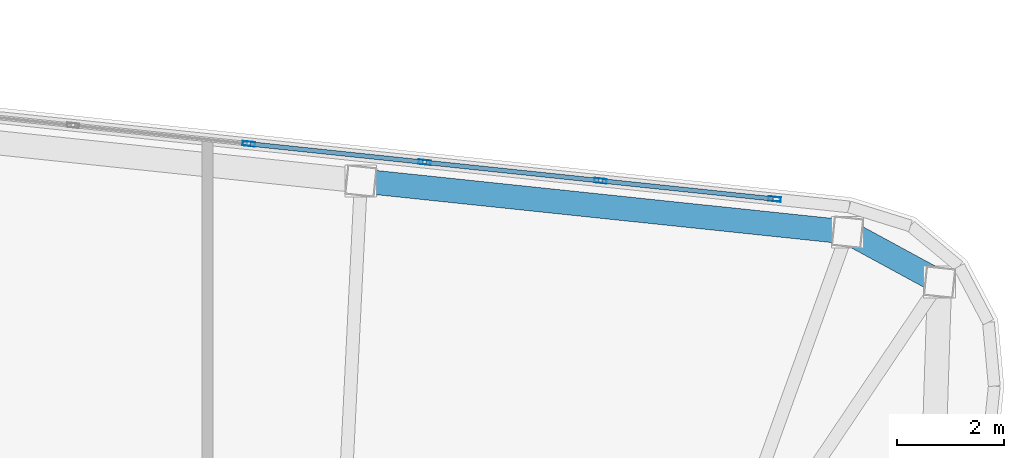
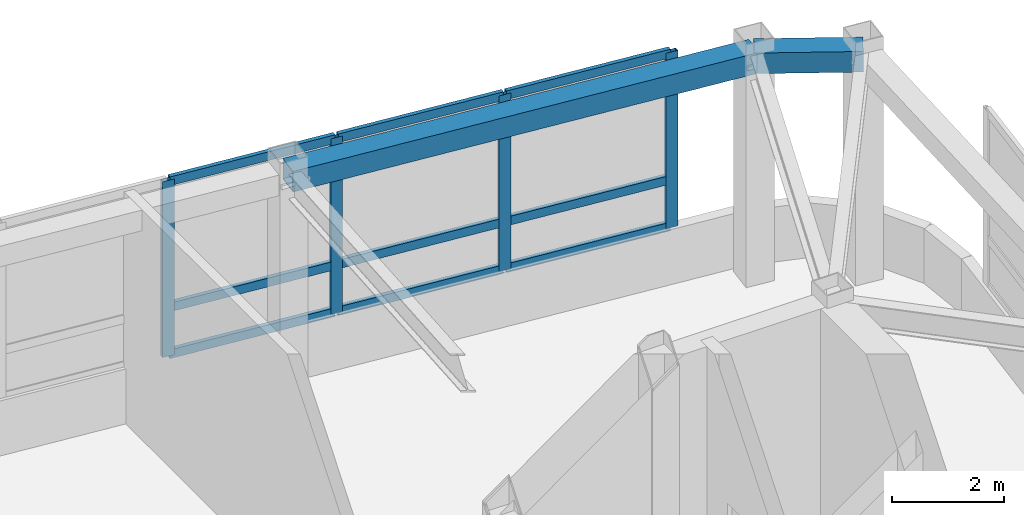
# One storey, part 17 of 23: 13 members, 2 beams, 1 element without a shape of its own.
"""IFC4 building model written with IfcOpenShell, lengths in metres."""

from ifc_helpers import new_model, si_unit, direction, frame, origin, origin_2d, place, context, subcontext, project, spatial, hollow_rectangle, extrude, material, layer, layer_set, material_profile, profile_set, type_object, element, aggregate, save


model = new_model("IFC4")

# Units and contexts
model_context = context("Model", 3, precision=1e-05, world=origin(), true_north=direction((0.0, 1.0)))
body_context = subcontext(model_context, "Body", "Model", "MODEL_VIEW")
ifc_project = project(units=[si_unit("LENGTHUNIT", "METRE"), si_unit("AREAUNIT", "SQUARE_METRE"), si_unit("VOLUMEUNIT", "CUBIC_METRE"), si_unit("PLANEANGLEUNIT", "RADIAN"), si_unit("MASSUNIT", "GRAM", prefix="KILO")], contexts=[model_context])

# Site, building, storey
site_placement = place(None, origin())
site = spatial("IfcSite", under=ifc_project, at=site_placement, CompositionType="ELEMENT")
building_placement = place(site_placement, origin())
building = spatial("IfcBuilding", under=site, at=building_placement, Name="Voryun Gate Residences", CompositionType="ELEMENT")
storey_placement = place(building_placement, frame((0.0, 0.0, 326.60009765625)))
storey = spatial("IfcBuildingStorey", under=building, at=storey_placement, Name="L80", CompositionType="ELEMENT", Elevation=326.60009765625)

# Beams
ifc_material_1 = material(Name="Steel SM355", Category="steel")
ifc_material_profile_1 = material_profile(ifc_material_1, hollow_rectangle(XDim=0.449951171875, YDim=0.449951171875, WallThickness=0.01806640625, at=origin_2d()), Name="BOX-450x450x18")
ifc_profile_set_1 = profile_set([ifc_material_profile_1], Name="Steel SM355")
beam_type = type_object("IfcBeamType", Name="BM_CROWN_RING", PredefinedType="BEAM", material=ifc_profile_set_1)
beam_1_placement = place(storey_placement, frame((23.603759765625, 13.9404296875, 4.7998046875), z_axis=(-0.87877849121, 0.477229885262, 0.0), x_axis=(-0.477229885262, -0.87877849121, 0.0)))
element("IfcBeam", 1, at=beam_1_placement, inside=storey, type_object=beam_type, Name="BM-L80-SPAND-10", PredefinedType="BEAM", context=body_context, shape_type="SweptSolid", body=[
    extrude(hollow_rectangle(XDim=0.449951171875, YDim=0.449951171875, WallThickness=0.01806640625, at=origin_2d()), origin(), (0.0, 0.0, 1.0), 1.95166015625),
])
beam_2_placement = place(storey_placement, frame((21.888671875, 14.871826171875, 4.7998046875), z_axis=(-0.994523919568, 0.104509202498, 0.0), x_axis=(-0.104509202498, -0.994523919568, 0.0)))
element("IfcBeam", 2, at=beam_2_placement, inside=storey, type_object=beam_type, Name="BM-L80-SPAND-11", PredefinedType="BEAM", context=body_context, shape_type="SweptSolid", body=[
    extrude(hollow_rectangle(XDim=0.449951171875, YDim=0.449951171875, WallThickness=0.01806640625, at=origin_2d()), origin(), (0.0, 0.0, 1.0), 9.1201171875),
])

# Curtain wall, members
ifc_material_2 = material(Name="Anodised aluminium", Category="aluminium")
ifc_layer = layer(ifc_material_2, 0.22998046875, Name="CW_SYS_LANTERN_DARK_GLASS")
ifc_layer_set = layer_set([ifc_layer], Name="Anodised aluminium")
curtain_wall_type = type_object("IfcCurtainWallType", Name="CW_SYS_LANTERN_DARK_GLASS", PredefinedType="NOTDEFINED", material=ifc_layer_set)
curtain_wall_placement = place(storey_placement, origin())
curtain_wall = element("IfcCurtainWall", 3, at=curtain_wall_placement, inside=storey, type_object=curtain_wall_type, Name="Curtain wall CW6-L80-11", PredefinedType="NOTDEFINED")
ifc_material_3 = material(Name="Anodised aluminium", Category="aluminium")
ifc_material_profile_2 = material_profile(ifc_material_3, hollow_rectangle(XDim=0.0849609375, YDim=0.22998046875, WallThickness=0.006103515625, at=origin_2d()), Name="ALU-MULL-230x85x6")
ifc_profile_set_2 = profile_set([ifc_material_profile_2], Name="Anodised aluminium")
member_type_1 = type_object("IfcMemberType", Name="CW_MULL_LANT", PredefinedType="MULLION", material=ifc_profile_set_2)
member_1_placement = place(storey_placement, frame((10.730712890625, 16.51708984375, 1.18994140625), z_axis=(0.0, 0.0, 1.0), x_axis=(0.10452775858, 0.994521969434, 0.0)))
member_1 = element("IfcMember", 4, at=member_1_placement, type_object=member_type_1, Name="CW6 mullion 11", PredefinedType="MULLION", context=body_context, shape_type="SweptSolid", body=[
    extrude(hollow_rectangle(XDim=0.0849609375, YDim=0.22998046875, WallThickness=0.006103515625, at=origin_2d()), origin(), (0.0, 0.0, 1.0), 3.8349609375),
])
member_2_placement = place(storey_placement, frame((14.007568359375, 16.172607421875, 1.18994140625), z_axis=(0.0, 0.0, 1.0), x_axis=(0.10452775858, 0.994521969434, 0.0)))
member_2 = element("IfcMember", 5, at=member_2_placement, type_object=member_type_1, Name="CW6 mullion 12", PredefinedType="MULLION", context=body_context, shape_type="SweptSolid", body=[
    extrude(hollow_rectangle(XDim=0.0849609375, YDim=0.22998046875, WallThickness=0.006103515625, at=origin_2d()), origin(), (0.0, 0.0, 1.0), 3.8349609375),
])
member_3_placement = place(storey_placement, frame((17.2841796875, 15.828369140625, 1.18994140625), z_axis=(0.0, 0.0, 1.0), x_axis=(0.10452775858, 0.994521969434, 0.0)))
member_3 = element("IfcMember", 6, at=member_3_placement, type_object=member_type_1, Name="CW6 mullion 13", PredefinedType="MULLION", context=body_context, shape_type="SweptSolid", body=[
    extrude(hollow_rectangle(XDim=0.0849609375, YDim=0.22998046875, WallThickness=0.006103515625, at=origin_2d()), origin(), (0.0, 0.0, 1.0), 3.8349609375),
])
member_4_placement = place(storey_placement, frame((20.53076171875, 15.487060546875, 1.18994140625), z_axis=(0.0, 0.0, 1.0), x_axis=(0.10452775858, 0.994521969434, 0.0)))
member_4 = element("IfcMember", 7, at=member_4_placement, type_object=member_type_1, Name="CW6 mullion 14", PredefinedType="MULLION", context=body_context, shape_type="SweptSolid", body=[
    extrude(hollow_rectangle(XDim=0.0849609375, YDim=0.22998046875, WallThickness=0.006103515625, at=origin_2d()), origin(), (0.0, 0.0, 1.0), 3.8349609375),
])
ifc_material_4 = material(Name="Anodised aluminium", Category="aluminium")
ifc_material_profile_3 = material_profile(ifc_material_4, hollow_rectangle(XDim=0.0849609375, YDim=0.18994140625, WallThickness=0.006103515625, at=origin_2d()), Name="ALU-TRAN-190x85x6")
ifc_profile_set_3 = profile_set([ifc_material_profile_3], Name="Anodised aluminium")
member_type_2 = type_object("IfcMemberType", Name="CW_TRAN_LANT", PredefinedType="USERDEFINED", material=ifc_profile_set_3)
member_5_placement = place(storey_placement, frame((10.7607421875, 16.513916015625, 1.219970703125), z_axis=(0.994520745033, -0.104539407398, 0.0), x_axis=(0.104539407398, 0.994520745033, 0.0)))
member_5 = element("IfcMember", 8, at=member_5_placement, type_object=member_type_2, Name="CW6 transom 11.1", ObjectType="TRANSOM", PredefinedType="USERDEFINED", context=body_context, shape_type="SweptSolid", body=[
    extrude(hollow_rectangle(XDim=0.0849609375, YDim=0.18994140625, WallThickness=0.006103515625, at=origin_2d()), origin(), (0.0, 0.0, 1.0), 3.234619140625),
])
member_6_placement = place(storey_placement, frame((10.7607421875, 16.513916015625, 2.239990234375), z_axis=(0.994520745033, -0.104539407398, 0.0), x_axis=(0.104539407398, 0.994520745033, 0.0)))
member_6 = element("IfcMember", 9, at=member_6_placement, type_object=member_type_2, Name="CW6 transom 11.2", ObjectType="TRANSOM", PredefinedType="USERDEFINED", context=body_context, shape_type="SweptSolid", body=[
    extrude(hollow_rectangle(XDim=0.0849609375, YDim=0.18994140625, WallThickness=0.006103515625, at=origin_2d()), origin(), (0.0, 0.0, 1.0), 3.234619140625),
])
member_7_placement = place(storey_placement, frame((10.7607421875, 16.513916015625, 4.994873046875), z_axis=(0.994520745033, -0.104539407398, 0.0), x_axis=(0.104539407398, 0.994520745033, 0.0)))
member_7 = element("IfcMember", 10, at=member_7_placement, type_object=member_type_2, Name="CW6 transom 11.3", ObjectType="TRANSOM", PredefinedType="USERDEFINED", context=body_context, shape_type="SweptSolid", body=[
    extrude(hollow_rectangle(XDim=0.0849609375, YDim=0.18994140625, WallThickness=0.006103515625, at=origin_2d()), origin(), (0.0, 0.0, 1.0), 3.234619140625),
])
member_8_placement = place(storey_placement, frame((14.037353515625, 16.16943359375, 1.219970703125), z_axis=(0.994520745033, -0.104539407398, 0.0), x_axis=(0.104539407398, 0.994520745033, 0.0)))
member_8 = element("IfcMember", 11, at=member_8_placement, type_object=member_type_2, Name="CW6 transom 12.1", ObjectType="TRANSOM", PredefinedType="USERDEFINED", context=body_context, shape_type="SweptSolid", body=[
    extrude(hollow_rectangle(XDim=0.0849609375, YDim=0.18994140625, WallThickness=0.006103515625, at=origin_2d()), origin(), (0.0, 0.0, 1.0), 3.234619140625),
])
member_9_placement = place(storey_placement, frame((14.037353515625, 16.16943359375, 2.239990234375), z_axis=(0.994520745033, -0.104539407398, 0.0), x_axis=(0.104539407398, 0.994520745033, 0.0)))
member_9 = element("IfcMember", 12, at=member_9_placement, type_object=member_type_2, Name="CW6 transom 12.2", ObjectType="TRANSOM", PredefinedType="USERDEFINED", context=body_context, shape_type="SweptSolid", body=[
    extrude(hollow_rectangle(XDim=0.0849609375, YDim=0.18994140625, WallThickness=0.006103515625, at=origin_2d()), origin(), (0.0, 0.0, 1.0), 3.234619140625),
])
member_10_placement = place(storey_placement, frame((14.037353515625, 16.16943359375, 4.994873046875), z_axis=(0.994520745033, -0.104539407398, 0.0), x_axis=(0.104539407398, 0.994520745033, 0.0)))
member_10 = element("IfcMember", 13, at=member_10_placement, type_object=member_type_2, Name="CW6 transom 12.3", ObjectType="TRANSOM", PredefinedType="USERDEFINED", context=body_context, shape_type="SweptSolid", body=[
    extrude(hollow_rectangle(XDim=0.0849609375, YDim=0.18994140625, WallThickness=0.006103515625, at=origin_2d()), origin(), (0.0, 0.0, 1.0), 3.234619140625),
])
member_11_placement = place(storey_placement, frame((17.31396484375, 15.8251953125, 1.219970703125), z_axis=(0.994522138405, -0.104526150903, 0.0), x_axis=(0.104526150903, 0.994522138405, 0.0)))
member_11 = element("IfcMember", 14, at=member_11_placement, type_object=member_type_2, Name="CW6 transom 13.1", ObjectType="TRANSOM", PredefinedType="USERDEFINED", context=body_context, shape_type="SweptSolid", body=[
    extrude(hollow_rectangle(XDim=0.0849609375, YDim=0.18994140625, WallThickness=0.006103515625, at=origin_2d()), origin(), (0.0, 0.0, 1.0), 3.20458984375),
])
member_12_placement = place(storey_placement, frame((17.31396484375, 15.8251953125, 2.239990234375), z_axis=(0.994522138405, -0.104526150903, 0.0), x_axis=(0.104526150903, 0.994522138405, 0.0)))
member_12 = element("IfcMember", 15, at=member_12_placement, type_object=member_type_2, Name="CW6 transom 13.2", ObjectType="TRANSOM", PredefinedType="USERDEFINED", context=body_context, shape_type="SweptSolid", body=[
    extrude(hollow_rectangle(XDim=0.0849609375, YDim=0.18994140625, WallThickness=0.006103515625, at=origin_2d()), origin(), (0.0, 0.0, 1.0), 3.20458984375),
])
member_13_placement = place(storey_placement, frame((17.31396484375, 15.8251953125, 4.994873046875), z_axis=(0.994522138405, -0.104526150903, 0.0), x_axis=(0.104526150903, 0.994522138405, 0.0)))
member_13 = element("IfcMember", 16, at=member_13_placement, type_object=member_type_2, Name="CW6 transom 13.3", ObjectType="TRANSOM", PredefinedType="USERDEFINED", context=body_context, shape_type="SweptSolid", body=[
    extrude(hollow_rectangle(XDim=0.0849609375, YDim=0.18994140625, WallThickness=0.006103515625, at=origin_2d()), origin(), (0.0, 0.0, 1.0), 3.20458984375),
])
aggregate(curtain_wall, [member_1, member_2, member_3, member_4, member_5, member_6, member_7, member_8, member_9, member_10, member_11, member_12, member_13])

save(model, "model.ifc")
